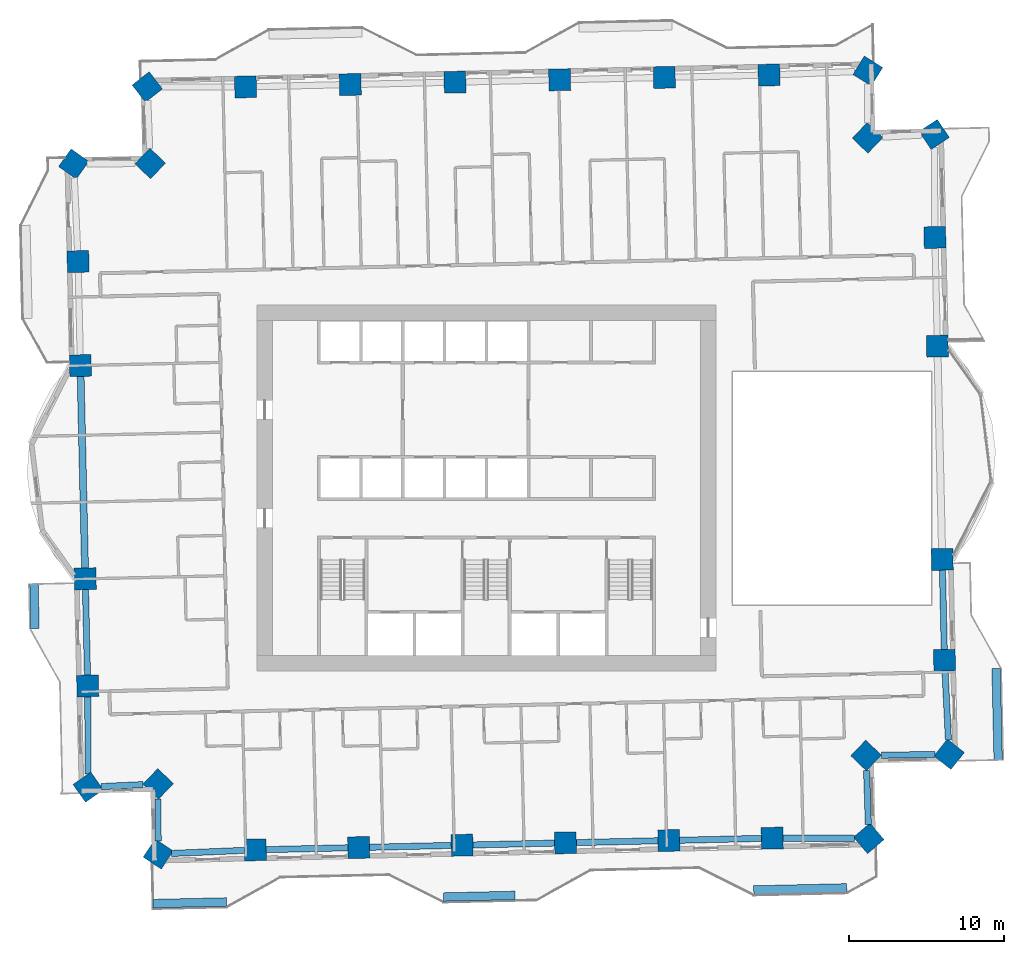
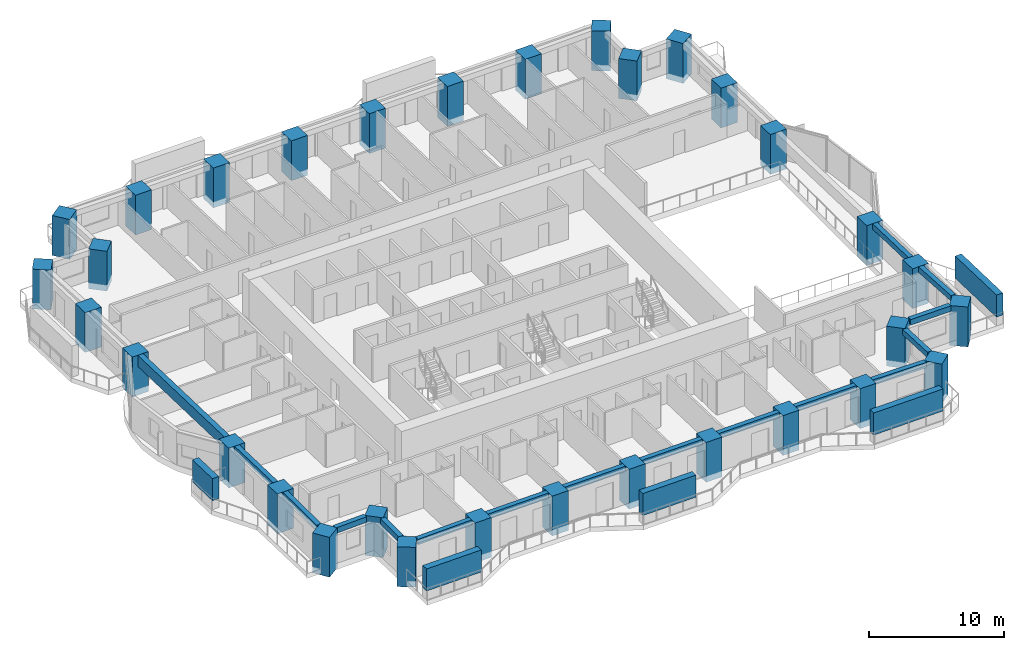
# One storey, part 1 of 17: 32 columns, 16 beams, 5 members.
"""IFC4 building model written with IfcOpenShell, lengths in metres."""

import ifcopenshell
import ifcopenshell.guid

model = None  # the IFC model being written
_history = None  # IfcOwnerHistory: only IFC2X3 demands one
_inside = {}  # id of a spatial element -> (the spatial element, [elements in it])
_under = {}  # id of a project, library or spatial element -> (it, [spatial elements below it])
_declared = {}  # id of a project -> (the project, [libraries it declares])
_typed = {}  # id of a type object -> (the type object, [elements of that type])
_made_of = {}  # id of a material, layer set ... -> (it, [elements and type objects made of it])


def new_model(schema):
    """Start an empty IFC model of exactly this schema.

    Asked for "IFC4X3", IfcOpenShell would pick the latest addendum, in which some entities
    have other attributes; the version numbers below select the first issue.
    IFC2X3 requires an IfcOwnerHistory on every rooted entity: one is made here for all.
    """
    global model, _history
    if schema == "IFC4X3":
        model = ifcopenshell.file(schema_version=(4, 3, 0, 0))
    else:
        model = ifcopenshell.file(schema=schema)
    _inside.clear()
    _under.clear()
    _declared.clear()
    _typed.clear()
    _made_of.clear()
    _history = None
    if model.schema == "IFC2X3":
        org = make("IfcOrganization", Name="unknown")
        user = make(
            "IfcPersonAndOrganization",
            ThePerson=make("IfcPerson", FamilyName="unknown"),
            TheOrganization=org,
        )
        app = make(
            "IfcApplication",
            ApplicationDeveloper=org,
            Version="unknown",
            ApplicationFullName="unknown",
            ApplicationIdentifier="unknown",
        )
        _history = make(
            "IfcOwnerHistory",
            OwningUser=user,
            OwningApplication=app,
            ChangeAction="ADDED",
            CreationDate=0,
        )
    return model


def make(cls, **values):
    """One entity of the class cls with the attributes given. An attribute that is None is left unset."""
    return model.create_entity(
        cls, **{name: value for name, value in values.items() if value is not None}
    )


def rooted(cls, **values):
    """An entity with a GlobalId (a new one), such as an element, a storey or a relation."""
    return make(cls, GlobalId=ifcopenshell.guid.new(), OwnerHistory=_history, **values)


def si_unit(unit_type, name, prefix=None):
    """IfcSIUnit, for example si_unit("LENGTHUNIT", "METRE", prefix="MILLI")."""
    return make("IfcSIUnit", UnitType=unit_type, Prefix=prefix, Name=name)


def assignment(units):
    """IfcUnitAssignment: the units of a project."""
    return None if units is None else make("IfcUnitAssignment", Units=units)


def point(xyz):
    """IfcCartesianPoint."""
    return None if xyz is None else make("IfcCartesianPoint", Coordinates=xyz)


def direction(xyz):
    """IfcDirection."""
    return None if xyz is None else make("IfcDirection", DirectionRatios=xyz)


def frame(location, z_axis=None, x_axis=None):
    """IfcAxis2Placement3D, a coordinate frame: its origin and axes. An axis left out is left unset."""
    return make(
        "IfcAxis2Placement3D",
        Location=point(location),
        Axis=direction(z_axis),
        RefDirection=direction(x_axis),
    )


def frame_2d(location, x_axis=None):
    """IfcAxis2Placement2D, a coordinate frame in the plane: its origin and x axis."""
    return make(
        "IfcAxis2Placement2D", Location=point(location), RefDirection=direction(x_axis)
    )


def origin():
    """The frame at (0, 0, 0) with its axes left unset."""
    return frame((0.0, 0.0, 0.0))


def origin_2d():
    """The frame at (0, 0) in the plane with its x axis left unset."""
    return frame_2d((0.0, 0.0))


def place(relative_to, where):
    """IfcLocalPlacement: puts the frame where relative to a parent placement (None: the world)."""
    return make(
        "IfcLocalPlacement", PlacementRelTo=relative_to, RelativePlacement=where
    )


def context(
    kind, dimensions, precision=None, world=None, true_north=None, identifier=None
):
    """IfcGeometricRepresentationContext, for example the 3D "Model" context."""
    return make(
        "IfcGeometricRepresentationContext",
        ContextIdentifier=identifier,
        ContextType=kind,
        CoordinateSpaceDimension=dimensions,
        Precision=precision,
        WorldCoordinateSystem=world,
        TrueNorth=true_north,
    )


def subcontext(parent, identifier, kind, view, scale=None):
    """IfcGeometricRepresentationSubContext, for example "Body" below "Model"."""
    return make(
        "IfcGeometricRepresentationSubContext",
        ContextIdentifier=identifier,
        ContextType=kind,
        ParentContext=parent,
        TargetScale=scale,
        TargetView=view,
    )


def project(units=None, contexts=None):
    """IfcProject with its units and contexts."""
    return rooted(
        "IfcProject",
        Name="project",
        RepresentationContexts=contexts,
        UnitsInContext=assignment(units),
    )


def spatial(cls, under=None, at=None, **own):
    """A site, building, storey or space (cls), placed at a placement, below another one or the project."""
    s = rooted(cls, ObjectPlacement=at, **own)
    if under is not None:
        _under.setdefault(under.id(), (under, []))[1].append(s)
    return s


def profile(cls, at=None, kind="AREA", **sizes):
    """A parametric profile (cls). Its sizes go by their IFC names, for example OverallWidth=200.0."""
    return make(cls, ProfileType=kind, Position=at, **sizes)


def rectangle(**sizes):
    """IfcRectangleProfileDef."""
    return profile("IfcRectangleProfileDef", **sizes)


def extrude(swept, where, along, depth):
    """IfcExtrudedAreaSolid: the profile swept, set in the frame where, extruded along a direction by depth."""
    return make(
        "IfcExtrudedAreaSolid",
        SweptArea=swept,
        Position=where,
        ExtrudedDirection=direction(along),
        Depth=depth,
    )


def shape(context_of_items, identifier, shape_type, items):
    """IfcShapeRepresentation: the items that make up one representation, for example the "Body"."""
    return make(
        "IfcShapeRepresentation",
        ContextOfItems=context_of_items,
        RepresentationIdentifier=identifier,
        RepresentationType=shape_type,
        Items=items,
    )


def material(Name=None, Category=None):
    """IfcMaterial."""
    return make("IfcMaterial", Name=Name, Category=Category)


def material_profile(
    of_material, cross_section, Name=None, Category=None, Priority=None
):
    """IfcMaterialProfile: a cross section and its material."""
    return make(
        "IfcMaterialProfile",
        Name=Name,
        Material=of_material,
        Profile=cross_section,
        Priority=Priority,
        Category=Category,
    )


def profile_set(profiles, Name=None, composite=None):
    """IfcMaterialProfileSet."""
    return make(
        "IfcMaterialProfileSet",
        Name=Name,
        MaterialProfiles=profiles,
        CompositeProfile=composite,
    )


def made_of(thing, what):
    """Note that an element or type object is made of a material, layer set ...; save() writes the relation."""
    if what is not None:
        _made_of.setdefault(what.id(), (what, []))[1].append(thing)
    return thing


def type_object(cls, material=None, **own):
    """A type object (cls), such as IfcWallType, which elements share."""
    return made_of(rooted(cls, **own), material)


def element(
    cls,
    number,
    at=None,
    inside=None,
    cuts=None,
    type_object=None,
    material=None,
    context=None,
    identifier="Body",
    shape_type=None,
    held_by="IfcProductDefinitionShape",
    body=None,
    shapes=None,
    **own,
):
    """One element of the class cls, such as IfcWall. Its Tag is "e" and its number.

    at: its placement. inside: the storey or other place that contains it. cuts: it is an
    opening in that element (IfcRelVoidsElement). A single representation is given by context,
    identifier, shape_type and body (its items); several are given by shapes. held_by: the class
    of the entity that holds the representations. save() writes the other relations.
    """
    e = rooted(cls, Tag="e%d" % number, ObjectPlacement=at, **own)
    if body is not None:
        shapes = [shape(context, identifier, shape_type, body)]
    if shapes is not None:
        e.Representation = make(held_by, Representations=shapes)
    if inside is not None:
        _inside.setdefault(inside.id(), (inside, []))[1].append(e)
    if cuts is not None:
        rooted(
            "IfcRelVoidsElement", RelatingBuildingElement=cuts, RelatedOpeningElement=e
        )
    if type_object is not None:
        _typed.setdefault(type_object.id(), (type_object, []))[1].append(e)
    return made_of(e, material)


def aggregate(whole, parts):
    """IfcRelAggregates: a whole, such as a stair, and the parts it consists of."""
    return rooted("IfcRelAggregates", RelatingObject=whole, RelatedObjects=parts)


def save(model, path):
    """Write the relations noted so far, then the file.

    IfcRelAggregates (storeys below a building ...), IfcRelContainedInSpatialStructure (elements
    in a storey), IfcRelDefinesByType, IfcRelAssociatesMaterial and IfcRelDeclares: one each for
    every whole, place, type object, material and project.
    """
    for whole, parts in _under.values():
        aggregate(whole, parts)
    for where, things in _inside.values():
        rooted(
            "IfcRelContainedInSpatialStructure",
            RelatedElements=things,
            RelatingStructure=where,
        )
    for kind, things in _typed.values():
        rooted("IfcRelDefinesByType", RelatedObjects=things, RelatingType=kind)
    for what, things in _made_of.values():
        rooted("IfcRelAssociatesMaterial", RelatedObjects=things, RelatingMaterial=what)
    for by, libraries in _declared.values():
        rooted("IfcRelDeclares", RelatingContext=by, RelatedDefinitions=libraries)
    model.write(path)


model = new_model("IFC4")

# Units and contexts
model_context = context("Model", 3, precision=1e-05, world=origin(), true_north=direction((0.0, 1.0)))
body_context = subcontext(model_context, "Body", "Model", "MODEL_VIEW")
ifc_project = project(units=[si_unit("LENGTHUNIT", "METRE"), si_unit("AREAUNIT", "SQUARE_METRE"), si_unit("VOLUMEUNIT", "CUBIC_METRE"), si_unit("PLANEANGLEUNIT", "RADIAN"), si_unit("MASSUNIT", "GRAM", prefix="KILO")], contexts=[model_context])

# Site, building, storey
site_placement = place(None, origin())
site = spatial("IfcSite", under=ifc_project, at=site_placement, CompositionType="ELEMENT")
building_placement = place(site_placement, origin())
building = spatial("IfcBuilding", under=site, at=building_placement, Name="Mangrove Gate Tower", CompositionType="ELEMENT")
storey_placement = place(building_placement, frame((0.0, 0.0, 90.10009765625)))
storey = spatial("IfcBuildingStorey", under=building, at=storey_placement, Name="L22", CompositionType="ELEMENT", Elevation=90.10009765625)

# Columns
ifc_material_1 = material(Name="Concrete C70/85", Category="concrete")
ifc_material_profile_1 = material_profile(ifc_material_1, rectangle(XDim=1.39990234375, YDim=1.39990234375, at=origin_2d()))
ifc_profile_set_1 = profile_set([ifc_material_profile_1], Name="Concrete C70/85")
column_type = type_object("IfcColumnType", Name="Column RC 1400x1400 C70/85", PredefinedType="COLUMN", material=ifc_profile_set_1)
for number, where, z_axis, x_axis, name in (
    (1, (-25.873291015625, -5.85009765625, -0.550048828125), (0.0, 0.0, 1.0), (0.022697227041, -0.99974238476, 0.0), "Column L22 W05"),
    (2, (-25.716064453125, -12.760986328125, -0.550048828125), (0.0, 0.0, 1.0), (0.022711552501, -0.999742059425, 0.0), "Column L22 W06"),
    (3, (-25.685302734375, -19.287109375, -0.550048828125), (0.0, 0.0, 1.0), (0.572799342172, -0.819695622538, 0.0), "Column L22 W07"),
    (4, (-21.176513671875, -19.076904296875, -0.550048828125), (0.0, 0.0, 1.0), (0.722988982899, -0.690859559249, 0.0), "Column L22 W08"),
    (5, (-21.171630859375, -23.596923828125, -0.550048828125), (0.0, 0.0, 1.0), (0.835754041756, -0.549103980762, 0.0), "Column L22 S01"),
    (6, (-14.906005859375, -23.331298828125, -0.550048828125), (0.0, 0.0, 1.0), (0.999741835415, 0.022721411066, 0.0), "Column L22 S02"),
    (7, (-8.239990234375, -23.17919921875, -0.550048828125), (0.0, 0.0, 1.0), (0.999741796947, 0.022723103599, 0.0), "Column L22 S03"),
    (8, (-1.574951171875, -23.028076171875, -0.550048828125), (0.0, 0.0, 1.0), (0.999743497505, 0.022648160999, 0.0), "Column L22 S04"),
    (9, (5.091064453125, -22.877197265625, -0.550048828125), (0.0, 0.0, 1.0), (0.999743536241, 0.022646451015, 0.0), "Column L22 S05"),
    (10, (11.757080078125, -22.72607421875, -0.550048828125), (0.0, 0.0, 1.0), (0.999741796947, 0.022723103599, 0.0), "Column L22 S06"),
    (11, (18.422119140625, -22.57421875, -0.550048828125), (0.0, 0.0, 1.0), (0.999741796947, 0.022723103599, 0.0), "Column L22 S07"),
    (12, (24.6513671875, -22.589111328125, -0.550048828125), (0.0, 0.0, 1.0), (0.762709463852, 0.646741272651, 0.0), "Column L22 S08"),
    (13, (24.475830078125, -17.241455078125, -0.550048828125), (0.0, 0.0, 1.0), (0.690883635037, 0.722965976266, 0.0), "Column L22 E01"),
    (14, (29.8310546875, -17.167724609375, -0.550048828125), (0.0, 0.0, 1.0), (0.620563665396, 0.784156066858, 0.0), "Column L22 E02"),
    (15, (29.5322265625, -11.10693359375, -0.550048828125), (0.0, 0.0, 1.0), (-0.02264990588, 0.999743457975, 0.0), "Column L22 E03"),
    (16, (29.38525390625, -4.596923828125, -0.550048828125), (0.0, 0.0, 1.0), (-0.022653011769, 0.999743387604, 0.0), "Column L22 E04"),
    (17, (29.0732421875, 9.150146484375, -0.550048828125), (0.0, 0.0, 1.0), (-0.022684210237, 0.999742680196, 0.0), "Column L22 E05"),
    (18, (28.9140625, 16.1611328125, -0.550048828125), (0.0, 0.0, 1.0), (-0.022674438908, 0.99974290186, 0.0), "Column L22 E06"),
    (19, (28.87060546875, 22.801513671875, -0.550048828125), (0.0, 0.0, 1.0), (-0.550567885303, 0.834790395053, 0.0), "Column L22 E07"),
    (20, (24.572265625, 22.58203125, -0.550048828125), (0.0, 0.0, 1.0), (-0.722913991344, 0.690938029869, 0.0), "Column L22 E08"),
    (21, (24.58740234375, 26.891845703125, -0.550048828125), (0.0, 0.0, 1.0), (-0.85008265929, 0.526649287832, 0.0), "Column L22 N01"),
    (22, (18.219970703125, 26.63330078125, -0.550048828125), (0.0, 0.0, 1.0), (-0.999741644236, -0.022729821381, 0.0), "Column L22 N02"),
    (23, (11.46875, 26.480224609375, -0.550048828125), (0.0, 0.0, 1.0), (-0.999743285984, -0.022657496114, 0.0), "Column L22 N03"),
    (24, (4.7177734375, 26.3271484375, -0.550048828125), (0.0, 0.0, 1.0), (-0.999743323945, -0.022655821028, 0.0), "Column L22 N04"),
    (25, (-2.0341796875, 26.174072265625, -0.550048828125), (0.0, 0.0, 1.0), (-0.999741644236, -0.022729821381, 0.0), "Column L22 N05"),
    (26, (-8.78515625, 26.020263671875, -0.550048828125), (0.0, 0.0, 1.0), (-0.999741644236, -0.022729821381, 0.0), "Column L22 N06"),
    (27, (-15.537109375, 25.8671875, -0.550048828125), (0.0, 0.0, 1.0), (-0.999743323945, -0.022655821028, 0.0), "Column L22 N07"),
    (28, (-21.874755859375, 25.861083984375, -0.550048828125), (0.0, 0.0, 1.0), (-0.789979802002, -0.613132866864, 0.0), "Column L22 N08"),
    (29, (-21.684814453125, 20.931396484375, -0.550048828125), (0.0, 0.0, 1.0), (-0.690872556232, -0.722976563275, 0.0), "Column L22 W01"),
    (30, (-26.6181640625, 20.896728515625, -0.550048828125), (0.0, 0.0, 1.0), (-0.5789981691, -0.815328841744, 0.0), "Column L22 W02"),
    (31, (-26.337158203125, 14.60693359375, -0.550048828125), (0.0, 0.0, 1.0), (0.022645264495, -0.999743563118, 0.0), "Column L22 W03"),
    (32, (-26.18505859375, 7.89697265625, -0.550048828125), (0.0, 0.0, 1.0), (0.022675887158, -0.999742869013, 0.0), "Column L22 W04"),
):
    element("IfcColumn", number, at=place(storey_placement, frame(where, z_axis=z_axis, x_axis=x_axis)), inside=storey, type_object=column_type, Name=name, PredefinedType="COLUMN", context=body_context, shape_type="SweptSolid", body=[
        extrude(rectangle(XDim=1.39990234375, YDim=1.39990234375, at=origin_2d()), origin(), (0.0, 0.0, 1.0), 3.599853515625),
    ])

# Members
ifc_material_2 = material(Name="Planting on aluminium trellis", Category="aluminium")
ifc_material_profile_2 = material_profile(ifc_material_2, rectangle(XDim=0.550048828125, YDim=2.0, at=origin_2d()))
ifc_profile_set_2 = profile_set([ifc_material_profile_2], Name="Planting on aluminium trellis")
member_type = type_object("IfcMemberType", Name="Balcony greenery screen 550x2000", PredefinedType="USERDEFINED", material=ifc_profile_set_2)
member_1_placement = place(storey_placement, frame((32.993896484375, -17.5419921875, 1.7998046875), z_axis=(-0.022512713257, 0.999746556754, 0.0), x_axis=(-0.999746556754, -0.022512713257, 0.0)))
element("IfcMember", 33, at=member_1_placement, inside=storey, type_object=member_type, Name="GREEN SCREEN L22 E0.1", ObjectType="PLANTING", PredefinedType="USERDEFINED", context=body_context, shape_type="SweptSolid", body=[
    extrude(rectangle(XDim=0.550048828125, YDim=2.0, at=origin_2d()), origin(), (0.0, 0.0, 1.0), 5.8994140625),
])
member_2_placement = place(storey_placement, frame((-29.115966796875, -9.050048828125, 1.7998046875), z_axis=(-0.022590224177, 0.999744808324, 0.0), x_axis=(-0.999744808324, -0.022590224177, 0.0)))
element("IfcMember", 34, at=member_2_placement, inside=storey, type_object=member_type, Name="GREEN SCREEN L22 W1.1", ObjectType="PLANTING", PredefinedType="USERDEFINED", context=body_context, shape_type="SweptSolid", body=[
    extrude(rectangle(XDim=0.550048828125, YDim=2.0, at=origin_2d()), origin(), (0.0, 0.0, 1.0), 2.874755859375),
])
member_3_placement = place(storey_placement, frame((-21.49609375, -26.7958984375, 1.7998046875), z_axis=(0.999744993256, 0.022582038422, 0.0), x_axis=(-0.022582038422, 0.999744993256, 0.0)))
element("IfcMember", 35, at=member_3_placement, inside=storey, type_object=member_type, Name="GREEN SCREEN L22 S0.1", ObjectType="PLANTING", PredefinedType="USERDEFINED", context=body_context, shape_type="SweptSolid", body=[
    extrude(rectangle(XDim=0.550048828125, YDim=2.0, at=origin_2d()), origin(), (0.0, 0.0, 1.0), 4.7353515625),
])
member_4_placement = place(storey_placement, frame((-2.764892578125, -26.37109375, 1.7998046875), z_axis=(0.999744377441, 0.022609285172, 0.0), x_axis=(-0.022609285172, 0.999744377441, 0.0)))
element("IfcMember", 36, at=member_4_placement, inside=storey, type_object=member_type, Name="GREEN SCREEN L22 S0.2", ObjectType="PLANTING", PredefinedType="USERDEFINED", context=body_context, shape_type="SweptSolid", body=[
    extrude(rectangle(XDim=0.550048828125, YDim=2.0, at=origin_2d()), origin(), (0.0, 0.0, 1.0), 4.60009765625),
])
member_5_placement = place(storey_placement, frame((17.22998046875, -25.9169921875, 1.7998046875), z_axis=(0.999743094499, 0.022665943652, 0.0), x_axis=(-0.022665943652, 0.999743094499, 0.0)))
element("IfcMember", 37, at=member_5_placement, inside=storey, type_object=member_type, Name="GREEN SCREEN L22 S1.1", ObjectType="PLANTING", PredefinedType="USERDEFINED", context=body_context, shape_type="SweptSolid", body=[
    extrude(rectangle(XDim=0.550048828125, YDim=2.0, at=origin_2d()), origin(), (0.0, 0.0, 1.0), 5.99951171875),
])

# Beams
ifc_material_3 = material(Name="Concrete C50/60", Category="concrete")
ifc_material_profile_3 = material_profile(ifc_material_3, rectangle(XDim=0.39990234375, YDim=0.5, at=origin_2d()))
ifc_profile_set_3 = profile_set([ifc_material_profile_3], Name="Concrete C50/60")
beam_type_1 = type_object("IfcBeamType", Name="Edge beam RC 400x500 C50/60", PredefinedType="BEAM", material=ifc_profile_set_3)
beam_1_placement = place(storey_placement, frame((-25.857177734375, -6.550048828125, 2.7998046875), z_axis=(0.022675128809, -0.999742886213, 0.0), x_axis=(0.999742886213, 0.022675128809, 0.0)))
element("IfcBeam", 38, at=beam_1_placement, inside=storey, type_object=beam_type_1, Name="Edge beam L22 00", PredefinedType="BEAM", context=body_context, shape_type="SweptSolid", body=[
    extrude(rectangle(XDim=0.39990234375, YDim=0.5, at=origin_2d()), origin(), (0.0, 0.0, 1.0), 5.5126953125),
])
beam_2_placement = place(storey_placement, frame((-25.712890625, -13.461181640625, 2.7998046875), z_axis=(0.004760448611, -0.999988669, 0.0), x_axis=(0.999988669, 0.004760448611, 0.0)))
element("IfcBeam", 39, at=beam_2_placement, inside=storey, type_object=beam_type_1, Name="Edge beam L22 01", PredefinedType="BEAM", context=body_context, shape_type="SweptSolid", body=[
    extrude(rectangle(XDim=0.39990234375, YDim=0.5, at=origin_2d()), origin(), (0.0, 0.0, 1.0), 4.974609375),
])
beam_3_placement = place(storey_placement, frame((-24.858154296875, -19.24853515625, 2.7998046875), z_axis=(0.998913193055, 0.046609363229, 0.0), x_axis=(-0.046609363229, 0.998913193055, 0.0)))
element("IfcBeam", 40, at=beam_3_placement, inside=storey, type_object=beam_type_1, Name="Edge beam L22 02", PredefinedType="BEAM", context=body_context, shape_type="SweptSolid", body=[
    extrude(rectangle(XDim=0.39990234375, YDim=0.5, at=origin_2d()), origin(), (0.0, 0.0, 1.0), 2.718505859375),
])
beam_4_placement = place(storey_placement, frame((-21.17529296875, -20.046142578125, 2.7998046875), z_axis=(0.000990009415, -0.999999509941, 0.0), x_axis=(0.999999509941, 0.000990009415, 0.0)))
element("IfcBeam", 41, at=beam_4_placement, inside=storey, type_object=beam_type_1, Name="Edge beam L22 03", PredefinedType="BEAM", context=body_context, shape_type="SweptSolid", body=[
    extrude(rectangle(XDim=0.39990234375, YDim=0.5, at=origin_2d()), origin(), (0.0, 0.0, 1.0), 2.712646484375),
])
beam_5_placement = place(storey_placement, frame((-20.31005859375, -23.560302734375, 2.7998046875), z_axis=(0.999102435493, 0.042359454582, 0.0), x_axis=(-0.042359454582, 0.999102435493, 0.0)))
element("IfcBeam", 42, at=beam_5_placement, inside=storey, type_object=beam_type_1, Name="Edge beam L22 04", PredefinedType="BEAM", context=body_context, shape_type="SweptSolid", body=[
    extrude(rectangle(XDim=0.39990234375, YDim=0.5, at=origin_2d()), origin(), (0.0, 0.0, 1.0), 4.708740234375),
])
beam_6_placement = place(storey_placement, frame((-14.2060546875, -23.315185546875, 2.7998046875), z_axis=(0.999739989884, 0.022802469752, 0.0), x_axis=(-0.022802469752, 0.999739989884, 0.0)))
element("IfcBeam", 43, at=beam_6_placement, inside=storey, type_object=beam_type_1, Name="Edge beam L22 05", PredefinedType="BEAM", context=body_context, shape_type="SweptSolid", body=[
    extrude(rectangle(XDim=0.39990234375, YDim=0.5, at=origin_2d()), origin(), (0.0, 0.0, 1.0), 5.267822265625),
])
beam_7_placement = place(storey_placement, frame((-7.5400390625, -23.163330078125, 2.7998046875), z_axis=(0.999743054607, 0.022667703144, 0.0), x_axis=(-0.022667703144, 0.999743054607, 0.0)))
element("IfcBeam", 44, at=beam_7_placement, inside=storey, type_object=beam_type_1, Name="Edge beam L22 06", PredefinedType="BEAM", context=body_context, shape_type="SweptSolid", body=[
    extrude(rectangle(XDim=0.39990234375, YDim=0.5, at=origin_2d()), origin(), (0.0, 0.0, 1.0), 5.266845703125),
])
for number, where, z_axis, x_axis, name in (
    (45, (-0.875, -23.01220703125, 2.7998046875), (0.999744198889, 0.022617179039, 0.0), (-0.022617179039, 0.999744198889, 0.0), "Edge beam L22 07"),
    (46, (5.791015625, -22.861328125, 2.7998046875), (0.999743149854, 0.022663501937, 0.0), (-0.022663501937, 0.999743149854, 0.0), "Edge beam L22 08"),
):
    element("IfcBeam", number, at=place(storey_placement, frame(where, z_axis=z_axis, x_axis=x_axis)), inside=storey, type_object=beam_type_1, Name=name, PredefinedType="BEAM", context=body_context, shape_type="SweptSolid", body=[
        extrude(rectangle(XDim=0.39990234375, YDim=0.5, at=origin_2d()), origin(), (0.0, 0.0, 1.0), 5.267822265625),
    ])
beam_8_placement = place(storey_placement, frame((12.45703125, -22.710205078125, 2.7998046875), z_axis=(0.999739869352, 0.022807753673, 0.0), x_axis=(-0.022807753673, 0.999739869352, 0.0)))
element("IfcBeam", 47, at=beam_8_placement, inside=storey, type_object=beam_type_1, Name="Edge beam L22 09", PredefinedType="BEAM", context=body_context, shape_type="SweptSolid", body=[
    extrude(rectangle(XDim=0.39990234375, YDim=0.5, at=origin_2d()), origin(), (0.0, 0.0, 1.0), 5.2666015625),
])
beam_9_placement = place(storey_placement, frame((19.122314453125, -22.575927734375, 2.7998046875), z_axis=(0.999997159537, -0.002383467806, 0.0), x_axis=(0.002383467806, 0.999997159537, 0.0)))
element("IfcBeam", 48, at=beam_9_placement, inside=storey, type_object=beam_type_1, Name="Edge beam L22 10", PredefinedType="BEAM", context=body_context, shape_type="SweptSolid", body=[
    extrude(rectangle(XDim=0.39990234375, YDim=0.5, at=origin_2d()), origin(), (0.0, 0.0, 1.0), 4.609375),
])
beam_10_placement = place(storey_placement, frame((24.6220703125, -21.696044921875, 2.7998046875), z_axis=(-0.032791124053, 0.999462226491, 0.0), x_axis=(-0.999462226491, -0.032791124053, 0.0)))
element("IfcBeam", 49, at=beam_10_placement, inside=storey, type_object=beam_type_1, Name="Edge beam L22 11", PredefinedType="BEAM", context=body_context, shape_type="SweptSolid", body=[
    extrude(rectangle(XDim=0.39990234375, YDim=0.5, at=origin_2d()), origin(), (0.0, 0.0, 1.0), 3.47705078125),
])
beam_11_placement = place(storey_placement, frame((25.45703125, -17.227783203125, 2.7998046875), z_axis=(0.999905009067, 0.013783063632, 0.0), x_axis=(-0.013783063632, 0.999905009067, 0.0)))
element("IfcBeam", 50, at=beam_11_placement, inside=storey, type_object=beam_type_1, Name="Edge beam L22 12", PredefinedType="BEAM", context=body_context, shape_type="SweptSolid", body=[
    extrude(rectangle(XDim=0.39990234375, YDim=0.5, at=origin_2d()), origin(), (0.0, 0.0, 1.0), 3.4716796875),
])
beam_12_placement = place(storey_placement, frame((29.78515625, -16.23876953125, 2.7998046875), z_axis=(-0.049235214486, 0.998787211399, 0.0), x_axis=(-0.998787211399, -0.049235214486, 0.0)))
element("IfcBeam", 51, at=beam_12_placement, inside=storey, type_object=beam_type_1, Name="Edge beam L22 13", PredefinedType="BEAM", context=body_context, shape_type="SweptSolid", body=[
    extrude(rectangle(XDim=0.39990234375, YDim=0.5, at=origin_2d()), origin(), (0.0, 0.0, 1.0), 4.43798828125),
])
beam_13_placement = place(storey_placement, frame((29.516357421875, -10.406982421875, 2.7998046875), z_axis=(-0.022591213633, 0.999744785966, 0.0), x_axis=(-0.999744785966, -0.022591213633, 0.0)))
element("IfcBeam", 52, at=beam_13_placement, inside=storey, type_object=beam_type_1, Name="Edge beam L22 14", PredefinedType="BEAM", context=body_context, shape_type="SweptSolid", body=[
    extrude(rectangle(XDim=0.39990234375, YDim=0.5, at=origin_2d()), origin(), (0.0, 0.0, 1.0), 5.111572265625),
])
ifc_material_4 = material(Name="Concrete C50/60", Category="concrete")
ifc_material_profile_4 = material_profile(ifc_material_4, rectangle(XDim=0.449951171875, YDim=1.0, at=origin_2d()))
ifc_profile_set_4 = profile_set([ifc_material_profile_4], Name="Concrete C50/60")
beam_type_2 = type_object("IfcBeamType", Name="Edge beam RC 450x1000 C50/60", PredefinedType="BEAM", material=ifc_profile_set_4)
beam_14_placement = place(storey_placement, frame((-26.169189453125, 7.197021484375, 2.5498046875), z_axis=(0.022673359101, -0.99974292635, 0.0), x_axis=(0.99974292635, 0.022673359101, 0.0)))
element("IfcBeam", 53, at=beam_14_placement, inside=storey, type_object=beam_type_2, Name="Edge beam L22 31", PredefinedType="BEAM", context=body_context, shape_type="SweptSolid", body=[
    extrude(rectangle(XDim=0.449951171875, YDim=1.0, at=origin_2d()), origin(), (0.0, 0.0, 1.0), 12.3505859375),
])

save(model, "model.ifc")
